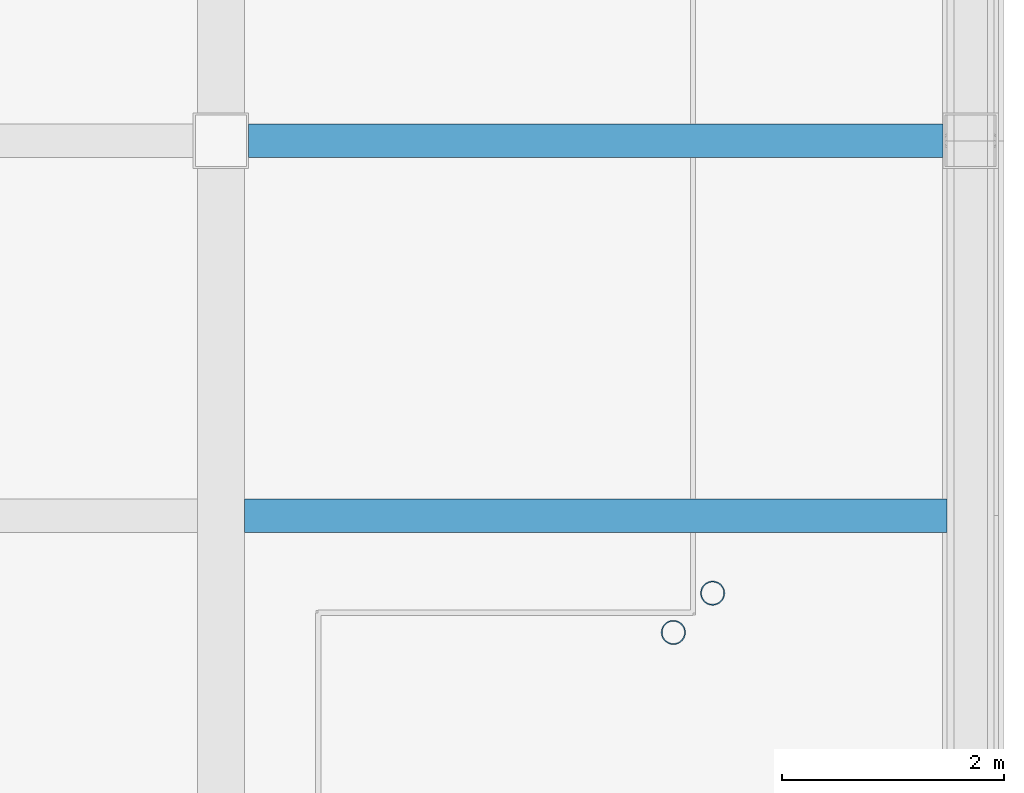
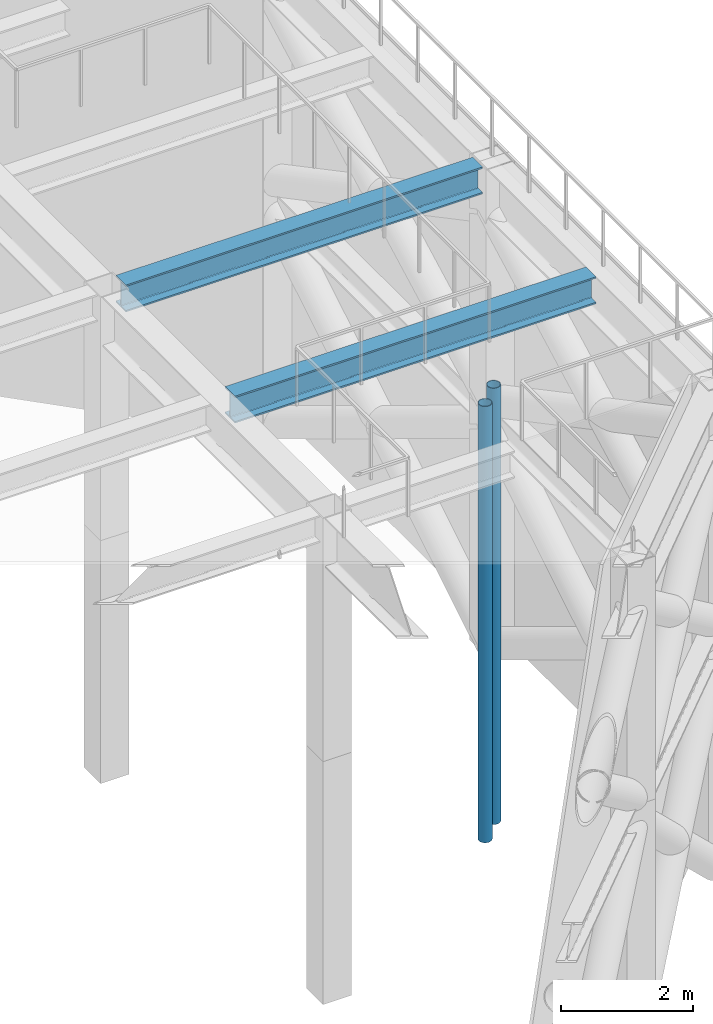
# One storey, part 2 of 5: 2 beams, 2 members.
"""IFC4 building model written with IfcOpenShell, lengths in metres."""

from ifc_helpers import new_model, si_unit, direction, frame, origin, origin_2d, place, context, subcontext, project, spatial, hollow_circle, i_section, extrude, material, material_profile, profile_set, type_object, element, save


model = new_model("IFC4")

# Units and contexts
model_context = context("Model", 3, precision=1e-05, world=origin(), true_north=direction((0.0, 1.0)))
body_context = subcontext(model_context, "Body", "Model", "MODEL_VIEW")
ifc_project = project(units=[si_unit("LENGTHUNIT", "METRE"), si_unit("AREAUNIT", "SQUARE_METRE"), si_unit("VOLUMEUNIT", "CUBIC_METRE"), si_unit("PLANEANGLEUNIT", "RADIAN"), si_unit("MASSUNIT", "GRAM", prefix="KILO")], contexts=[model_context])

# Site, building, storey
site_placement = place(None, origin())
site = spatial("IfcSite", under=ifc_project, at=site_placement, CompositionType="ELEMENT")
building_placement = place(site_placement, origin())
building = spatial("IfcBuilding", under=site, at=building_placement, Name="Nyansa Garden Tower", CompositionType="ELEMENT")
storey_placement = place(building_placement, frame((0.0, 0.0, 259.199951171875)))
storey = spatial("IfcBuildingStorey", under=building, at=storey_placement, Name="L70", CompositionType="ELEMENT", Elevation=259.199951171875)

# Members
ifc_material_1 = material(Name="Steel S355", Category="steel")
ifc_material_profile_1 = material_profile(ifc_material_1, hollow_circle(Radius=0.109619140625, WallThickness=0.010009765625, at=origin_2d()), Name="CHS 219.1x10")
ifc_profile_set_1 = profile_set([ifc_material_profile_1], Name="Steel S355")
member_type = type_object("IfcMemberType", Name="Crown frame access ladder stile CHS 219.1x10", PredefinedType="MEMBER", material=ifc_profile_set_1)
for number, where, z_axis, x_axis, name in (
    (1, (31.4267578125, 16.1767578125, 0.0), (0.0, 0.0, 1.0), (1.0, 0.0, 0.0), "Crown frame access ladder stile 1"),
    (2, (31.0732421875, 15.8232421875, 0.0), (0.0, 0.0, 1.0), (1.0, 0.0, 0.0), "Crown frame access ladder stile 2"),
):
    element("IfcMember", number, at=place(storey_placement, frame(where, z_axis=z_axis, x_axis=x_axis)), inside=storey, type_object=member_type, Name=name, PredefinedType="MEMBER", context=body_context, shape_type="SweptSolid", body=[
        extrude(hollow_circle(Radius=0.109619140625, WallThickness=0.010009765625, at=origin_2d()), origin(), (0.0, 0.0, 1.0), 8.0810546875),
    ])

# Beams
ifc_material_2 = material(Name="Steel S355", Category="steel")
ifc_material_profile_2 = material_profile(ifc_material_2, i_section(OverallWidth=0.300048828125, OverallDepth=0.5, WebThickness=0.014404296875, FlangeThickness=0.028076171875, FilletRadius=0.027099609375, at=origin_2d()), Name="HE 500 B")
ifc_profile_set_2 = profile_set([ifc_material_profile_2], Name="Steel S355")
beam_type = type_object("IfcBeamType", Name="Crown frame ring HE 500 B", PredefinedType="BEAM", material=ifc_profile_set_2)
beam_1_placement = place(storey_placement, frame((27.2109375, 16.875, 8.75), z_axis=(1.0, 0.0, 0.0), x_axis=(0.0, 1.0, 0.0)))
element("IfcBeam", 3, at=beam_1_placement, inside=storey, type_object=beam_type, Name="Crown frame roof beam 13", PredefinedType="BEAM", context=body_context, shape_type="SweptSolid", body=[
    extrude(i_section(OverallWidth=0.300048828125, OverallDepth=0.5, WebThickness=0.014404296875, FlangeThickness=0.028076171875, FilletRadius=0.027099609375, at=origin_2d()), origin(), (0.0, 0.0, 1.0), 6.328125),
])
beam_2_placement = place(storey_placement, frame((27.25, 20.25, 8.75), z_axis=(1.0, 0.0, 0.0), x_axis=(0.0, 1.0, 0.0)))
element("IfcBeam", 4, at=beam_2_placement, inside=storey, type_object=beam_type, Name="Crown frame roof beam 18", PredefinedType="BEAM", context=body_context, shape_type="SweptSolid", body=[
    extrude(i_section(OverallWidth=0.300048828125, OverallDepth=0.5, WebThickness=0.014404296875, FlangeThickness=0.028076171875, FilletRadius=0.027099609375, at=origin_2d()), origin(), (0.0, 0.0, 1.0), 6.25),
])

save(model, "model.ifc")
